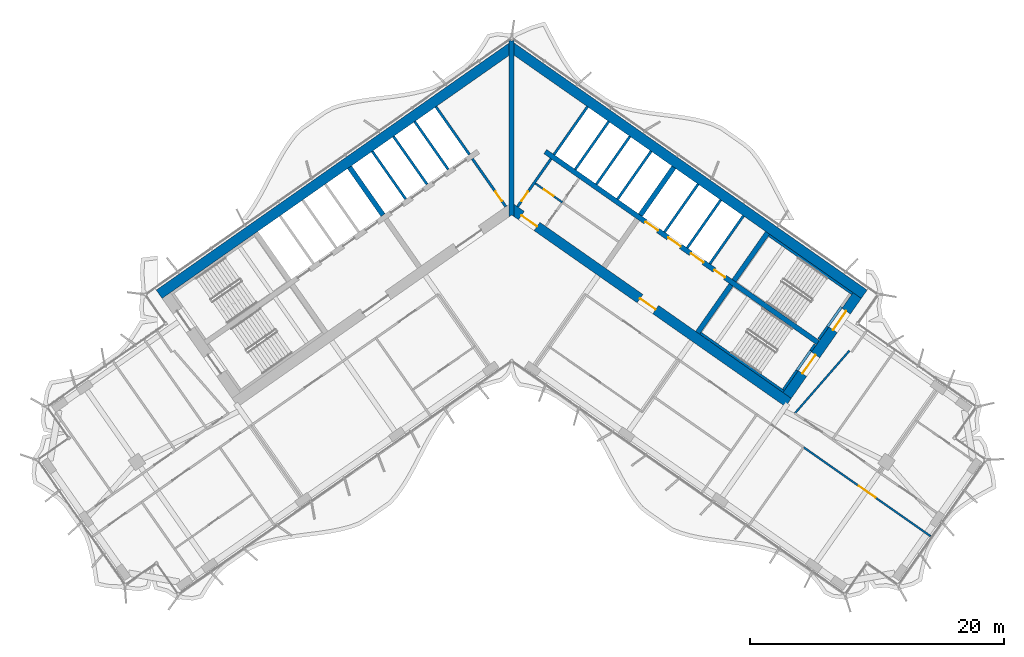
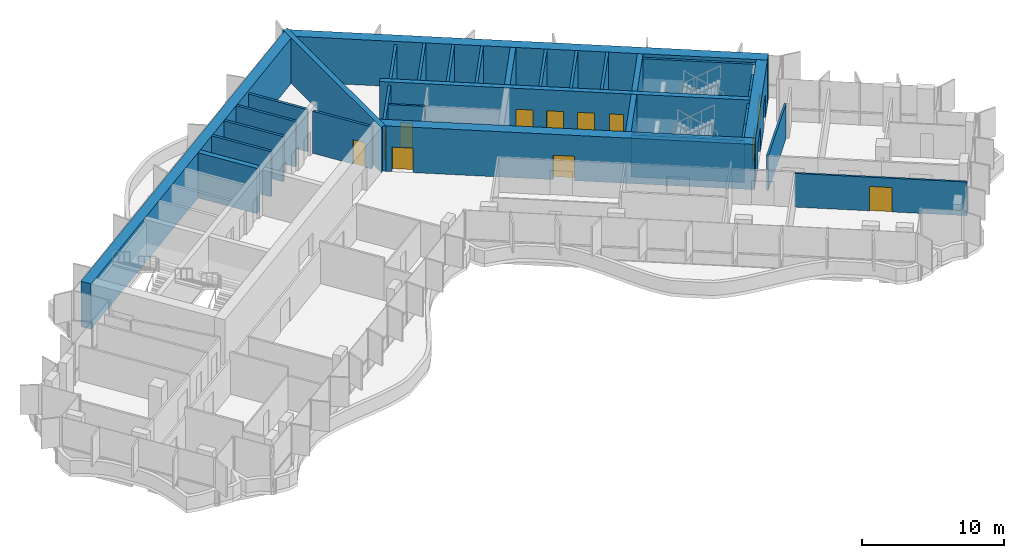
# One storey, part 16 of 23: 33 walls, 12 doors, 12 openings.
"""IFC4 building model written with IfcOpenShell, lengths in metres."""

from ifc_helpers import new_model, si_unit, direction, frame, frame_2d, origin, place, context, subcontext, project, spatial, polyline, rectangle, outline, extrude, material, layer, layer_set, type_object, element, fill, save


model = new_model("IFC4")

# Units and contexts
model_context = context("Model", 3, precision=1e-05, world=origin(), true_north=direction((0.0, 1.0)))
body_context = subcontext(model_context, "Body", "Model", "MODEL_VIEW")
ifc_project = project(units=[si_unit("LENGTHUNIT", "METRE"), si_unit("AREAUNIT", "SQUARE_METRE"), si_unit("VOLUMEUNIT", "CUBIC_METRE"), si_unit("PLANEANGLEUNIT", "RADIAN"), si_unit("MASSUNIT", "GRAM", prefix="KILO")], contexts=[model_context])

# Site, building, storey
site_placement = place(None, origin())
site = spatial("IfcSite", under=ifc_project, at=site_placement, CompositionType="ELEMENT")
building_placement = place(site_placement, origin())
building = spatial("IfcBuilding", under=site, at=building_placement, Name="Tel Ilan Convention Tower", CompositionType="ELEMENT")
storey_placement = place(building_placement, frame((0.0, 0.0, 178.800048828125)))
storey = spatial("IfcBuildingStorey", under=building, at=storey_placement, Name="L41", CompositionType="ELEMENT", Elevation=178.800048828125)

# Wall, opening, door
ifc_material_1 = material(Name="Gypsum Plasterboard on Steel Stud", Category="steel")
ifc_layer_1 = layer(ifc_material_1, 0.14990234375)
ifc_layer_set_1 = layer_set([ifc_layer_1], Name="Core Room Partition Wall 150 mm EI 60")
wall_type_1 = type_object("IfcWallType", Name="Core Room Partition Wall 150 mm EI 60", PredefinedType="PARTITIONING", material=ifc_layer_set_1)
wall_1_placement = place(storey_placement, frame((1.85986328125, 1.261474609375, 0.0), z_axis=(0.0, 0.0, 1.0), x_axis=(0.819103967032, -0.573645091666, 0.0)))
wall_1 = element("IfcWall", 1, at=wall_1_placement, inside=storey, type_object=wall_type_1, Name="L41 core wall wc-h1", PredefinedType="PARTITIONING", context=body_context, shape_type="SweptSolid", body=[
    extrude(rectangle(XDim=2.599853515625, YDim=0.14990234375, at=frame_2d((1.2998046875, 0.0))), origin(), (0.0, 0.0, 1.0), 3.619873046875),
])
opening_1_placement = place(wall_1_placement, frame((0.85009765625, 0.0, 0.0)))
opening_1 = element("IfcOpeningElement", 2, at=opening_1_placement, cuts=wall_1, Name="Opening CD3108", PredefinedType="OPENING", context=body_context, shape_type="SweptSolid", body=[
    extrude(rectangle(XDim=0.89990234375, YDim=2.10009765625, at=frame_2d((0.449951171875, 1.050048828125))), frame((0.0, 0.0849609375, 0.0), z_axis=(0.0, -1.0, 0.0), x_axis=(1.0, 0.0, 0.0)), (0.0, 0.0, 1.0), 0.169921875),
])
ifc_material_2 = material(Name="Laminated Timber Door Leaf", Category="wood")
door_type_1 = type_object("IfcDoorType", Name="Toilet Door 900 x 2100 FD30S", OperationType="NOTDEFINED", PredefinedType="DOOR", material=ifc_material_2)
door_1_placement = place(opening_1_placement, origin())
door_1 = element("IfcDoor", 3, at=door_1_placement, inside=storey, type_object=door_type_1, Name="Accessible WC door", OperationType="SINGLE_SWING_RIGHT", OverallHeight=2.10009765625, OverallWidth=0.89990234375, PredefinedType="DOOR", context=body_context, shape_type="SweptSolid", body=[
    extrude(rectangle(XDim=0.89990234375, YDim=2.10009765625, at=frame_2d((0.449951171875, 1.050048828125))), frame((0.0, 0.02490234375, 0.0), z_axis=(0.0, -1.0, 0.0), x_axis=(1.0, 0.0, 0.0)), (0.0, 0.0, 1.0), 0.050048828125),
])
fill(opening_1, door_1)

ifc_material_3 = material(Name="Concrete C30/37", Category="concrete")
ifc_layer_2 = layer(ifc_material_3, 0.199951171875)
ifc_layer_set_2 = layer_set([ifc_layer_2], Name="Core Service Room Wall 200 mm C30/37")
wall_type_2 = type_object("IfcWallType", Name="Core Service Room Wall 200 mm C30/37", PredefinedType="SOLIDWALL", material=ifc_layer_set_2)
wall_2_placement = place(storey_placement, frame((-0.458740234375, -0.565185546875, 0.0), z_axis=(0.0, 0.0, 1.0), x_axis=(-0.573576324356, 0.819152122709, 0.0)))
wall_2 = element("IfcWall", 4, at=wall_2_placement, inside=storey, type_object=wall_type_2, Name="L41 core wall apex-W", PredefinedType="SOLIDWALL", context=body_context, shape_type="SweptSolid", body=[
    extrude(rectangle(XDim=4.599853515625, YDim=0.199951171875, at=frame_2d((2.2998046875, 0.0))), origin(), (0.0, 0.0, 1.0), 3.619873046875),
])
opening_2_placement = place(wall_2_placement, frame((0.550048828125, 0.0, 0.0)))
opening_2 = element("IfcOpeningElement", 5, at=opening_2_placement, cuts=wall_2, Name="Opening CD3102", PredefinedType="OPENING", context=body_context, shape_type="SweptSolid", body=[
    extrude(rectangle(XDim=0.89990234375, YDim=2.10009765625, at=frame_2d((0.449951171875, 1.050048828125))), frame((0.0, 0.10986328125, 0.0), z_axis=(0.0, -1.0, 0.0), x_axis=(1.0, 0.0, 0.0)), (0.0, 0.0, 1.0), 0.219970703125),
])
ifc_material_4 = material(Name="Galvanised Steel Door Leaf", Category="steel")
door_type_2 = type_object("IfcDoorType", Name="Service Room Door 900 x 2100 FD60", OperationType="NOTDEFINED", PredefinedType="DOOR", material=ifc_material_4)
door_2_placement = place(opening_2_placement, origin())
door_2 = element("IfcDoor", 6, at=door_2_placement, inside=storey, type_object=door_type_2, Name="Electrical Room door", OperationType="SINGLE_SWING_RIGHT", OverallHeight=2.10009765625, OverallWidth=0.89990234375, PredefinedType="DOOR", context=body_context, shape_type="SweptSolid", body=[
    extrude(rectangle(XDim=0.89990234375, YDim=2.10009765625, at=frame_2d((0.449951171875, 1.050048828125))), frame((0.0, 0.02490234375, 0.0), z_axis=(0.0, -1.0, 0.0), x_axis=(1.0, 0.0, 0.0)), (0.0, 0.0, 1.0), 0.050048828125),
])
fill(opening_2, door_2)

# Wall
wall_3_placement = place(storey_placement, frame((-3.32666015625, 3.530517578125, 0.0), z_axis=(0.0, 0.0, 1.0), x_axis=(-0.573576324356, 0.819152122709, 0.0)))
element("IfcWall", 7, at=wall_3_placement, inside=storey, type_object=wall_type_2, Name="L41 core wall apex-W-b", PredefinedType="SOLIDWALL", context=body_context, shape_type="SweptSolid", body=[
    extrude(rectangle(XDim=4.599853515625, YDim=0.199951171875, at=frame_2d((2.2998046875, 0.0))), origin(), (0.0, 0.0, 1.0), 3.619873046875),
])

# Wall, opening, door
wall_4_placement = place(storey_placement, frame((0.458740234375, -0.565185546875, 0.0), z_axis=(0.0, 0.0, 1.0), x_axis=(0.573576324356, 0.819152122709, 0.0)))
wall_4 = element("IfcWall", 8, at=wall_4_placement, inside=storey, type_object=wall_type_2, Name="L41 core wall apex-E", PredefinedType="SOLIDWALL", context=body_context, shape_type="SweptSolid", body=[
    extrude(rectangle(XDim=4.599853515625, YDim=0.199951171875, at=frame_2d((2.2998046875, 0.0))), origin(), (0.0, 0.0, 1.0), 3.619873046875),
])
opening_3_placement = place(wall_4_placement, frame((0.550048828125, 0.0, 0.0)))
opening_3 = element("IfcOpeningElement", 9, at=opening_3_placement, cuts=wall_4, Name="Opening CD3101", PredefinedType="OPENING", context=body_context, shape_type="SweptSolid", body=[
    extrude(rectangle(XDim=0.89990234375, YDim=2.10009765625, at=frame_2d((0.449951171875, 1.050048828125))), frame((0.0, 0.10986328125, 0.0), z_axis=(0.0, -1.0, 0.0), x_axis=(1.0, 0.0, 0.0)), (0.0, 0.0, 1.0), 0.219970703125),
])
door_3_placement = place(opening_3_placement, origin())
door_3 = element("IfcDoor", 10, at=door_3_placement, inside=storey, type_object=door_type_2, Name="Store Room door", OperationType="SINGLE_SWING_RIGHT", OverallHeight=2.10009765625, OverallWidth=0.89990234375, PredefinedType="DOOR", context=body_context, shape_type="SweptSolid", body=[
    extrude(rectangle(XDim=0.89990234375, YDim=2.10009765625, at=frame_2d((0.449951171875, 1.050048828125))), frame((0.0, 0.02490234375, 0.0), z_axis=(0.0, -1.0, 0.0), x_axis=(1.0, 0.0, 0.0)), (0.0, 0.0, 1.0), 0.050048828125),
])
fill(opening_3, door_3)

# Walls
wall_5_placement = place(storey_placement, frame((3.32666015625, 3.530517578125, 0.0), z_axis=(0.0, 0.0, 1.0), x_axis=(0.573576324356, 0.819152122709, 0.0)))
element("IfcWall", 11, at=wall_5_placement, inside=storey, type_object=wall_type_2, Name="L41 core wall apex-E-b", PredefinedType="SOLIDWALL", context=body_context, shape_type="SweptSolid", body=[
    extrude(rectangle(XDim=4.599853515625, YDim=0.199951171875, at=frame_2d((2.2998046875, 0.0))), origin(), (0.0, 0.0, 1.0), 3.619873046875),
])
ifc_material_5 = material(Name="Concrete C50/60", Category="concrete")
ifc_layer_3 = layer(ifc_material_5, 0.39990234375)
ifc_layer_set_3 = layer_set([ifc_layer_3], Name="Core Shear Wall 400 mm C50/60")
wall_type_3 = type_object("IfcWallType", Name="Core Shear Wall 400 mm C50/60", PredefinedType="SHEAR", material=ifc_layer_set_3)
wall_6_placement = place(storey_placement, frame((-10.12548828125, -1.230224609375, 0.0), z_axis=(0.0, 0.0, 1.0), x_axis=(-0.573576324356, 0.819152122709, 0.0)))
element("IfcWall", 12, at=wall_6_placement, inside=storey, type_object=wall_type_3, Name="L41 core wall W-cross1-2", PredefinedType="SHEAR", context=body_context, shape_type="SweptSolid", body=[
    extrude(outline(polyline([(4.60009765625, -0.199951171875), (4.599853515625, 0.199951171875), (0.0, 0.2001953125), (0.0, -0.199951171875), (4.60009765625, -0.199951171875)])), origin(), (0.0, 0.0, 1.0), 3.89990234375),
])
wall_7_placement = place(storey_placement, frame((10.12548828125, -1.230224609375, 0.0), z_axis=(0.0, 0.0, 1.0), x_axis=(0.573576324356, 0.819152122709, 0.0)))
element("IfcWall", 13, at=wall_7_placement, inside=storey, type_object=wall_type_3, Name="L41 core wall E-cross1-2", PredefinedType="SHEAR", context=body_context, shape_type="SweptSolid", body=[
    extrude(outline(polyline([(4.599853515625, -0.199951171875), (4.60009765625, 0.199951171875), (0.0, 0.199951171875), (0.0, -0.2001953125), (4.599853515625, -0.199951171875)])), origin(), (0.0, 0.0, 1.0), 3.89990234375),
])
wall_8_placement = place(storey_placement, frame((14.6298828125, -10.48828125, 0.0), z_axis=(0.0, 0.0, 1.0), x_axis=(0.573611936273, 0.819127185829, 0.0)))
element("IfcWall", 14, at=wall_8_placement, inside=storey, type_object=wall_type_3, Name="L41 core wall E-cross2-1", PredefinedType="SHEAR", context=body_context, shape_type="SweptSolid", body=[
    extrude(outline(polyline([(0.000244140625, 0.199951171875), (0.000244140625, -0.2001953125), (4.60009765625, -0.199951171875), (4.60009765625, 0.2001953125), (0.000244140625, 0.199951171875)])), origin(), (0.0, 0.0, 1.0), 3.89990234375),
])
wall_9_placement = place(storey_placement, frame((17.497802734375, -6.392333984375, 0.0), z_axis=(0.0, 0.0, 1.0), x_axis=(0.573611936273, 0.819127185829, 0.0)))
element("IfcWall", 15, at=wall_9_placement, inside=storey, type_object=wall_type_3, Name="L41 core wall E-cross2-2", PredefinedType="SHEAR", context=body_context, shape_type="SweptSolid", body=[
    extrude(outline(polyline([(4.599853515625, -0.199951171875), (4.599853515625, 0.2001953125), (0.0, 0.199951171875), (0.0, -0.2001953125), (4.599853515625, -0.199951171875)])), origin(), (0.0, 0.0, 1.0), 3.89990234375),
])

# Wall, openings, doors
wall_10_placement = place(storey_placement, frame((2.638427734375, 3.76806640625, 0.0), z_axis=(0.0, 0.0, 1.0), x_axis=(0.81915267502, -0.573575535572, 0.0)))
wall_10 = element("IfcWall", 16, at=wall_10_placement, inside=storey, type_object=wall_type_3, Name="L41 core wall E-spine", PredefinedType="SHEAR", context=body_context, shape_type="SweptSolid", body=[
    extrude(outline(polyline([(0.0, 0.199951171875), (0.0, -0.199951171875), (26.199951171875, -0.199951171875), (26.199951171875, 0.199951171875), (0.0, 0.199951171875)])), origin(), (0.0, 0.0, 1.0), 3.89990234375),
])
opening_4_placement = place(wall_10_placement, frame((9.637451171875, 0.0, 0.0)))
opening_4 = element("IfcOpeningElement", 17, at=opening_4_placement, cuts=wall_10, Name="Opening LD3101", PredefinedType="OPENING", context=body_context, shape_type="SweptSolid", body=[
    extrude(rectangle(XDim=1.199951171875, YDim=2.10009765625, at=frame_2d((0.60009765625, 1.050048828125))), frame((0.0, 0.2099609375, 0.0), z_axis=(0.0, -1.0, 0.0), x_axis=(1.0, 0.0, 0.0)), (0.0, 0.0, 1.0), 0.419921875),
])
opening_5_placement = place(wall_10_placement, frame((11.8125, 0.0, 0.0)))
opening_5 = element("IfcOpeningElement", 18, at=opening_5_placement, cuts=wall_10, Name="Opening LD3102", PredefinedType="OPENING", context=body_context, shape_type="SweptSolid", body=[
    extrude(rectangle(XDim=1.199951171875, YDim=2.10009765625, at=frame_2d((0.60009765625, 1.050048828125))), frame((0.0, 0.2099609375, 0.0), z_axis=(0.0, -1.0, 0.0), x_axis=(1.0, 0.0, 0.0)), (0.0, 0.0, 1.0), 0.419921875),
])
opening_6_placement = place(wall_10_placement, frame((13.987548828125, 0.0, 0.0)))
opening_6 = element("IfcOpeningElement", 19, at=opening_6_placement, cuts=wall_10, Name="Opening LD3103", PredefinedType="OPENING", context=body_context, shape_type="SweptSolid", body=[
    extrude(rectangle(XDim=1.199951171875, YDim=2.10009765625, at=frame_2d((0.60009765625, 1.050048828125))), frame((0.0, 0.2099609375, 0.0), z_axis=(0.0, -1.0, 0.0), x_axis=(1.0, 0.0, 0.0)), (0.0, 0.0, 1.0), 0.419921875),
])
opening_7_placement = place(wall_10_placement, frame((16.262451171875, 0.0, 0.0)))
opening_7 = element("IfcOpeningElement", 20, at=opening_7_placement, cuts=wall_10, Name="Opening CD3107", PredefinedType="OPENING", context=body_context, shape_type="SweptSolid", body=[
    extrude(rectangle(XDim=1.0, YDim=2.10009765625, at=frame_2d((0.5, 1.050048828125))), frame((0.0, 0.2099609375, 0.0), z_axis=(0.0, -1.0, 0.0), x_axis=(1.0, 0.0, 0.0)), (0.0, 0.0, 1.0), 0.419921875),
])
ifc_material_6 = material(Name="Stainless Steel Sliding Door Leaf", Category="steel")
door_type_3 = type_object("IfcDoorType", Name="Lift Landing Door 1200 x 2100 FD120", OperationType="NOTDEFINED", PredefinedType="DOOR", material=ifc_material_6)
door_4_placement = place(opening_4_placement, origin())
door_4 = element("IfcDoor", 21, at=door_4_placement, inside=storey, type_object=door_type_3, Name="Lift FL1 landing door", OperationType="SLIDING_TO_LEFT", OverallHeight=2.10009765625, OverallWidth=1.199951171875, PredefinedType="DOOR", context=body_context, shape_type="SweptSolid", body=[
    extrude(rectangle(XDim=1.199951171875, YDim=2.10009765625, at=frame_2d((0.60009765625, 1.050048828125))), frame((0.0, 0.02490234375, 0.0), z_axis=(0.0, -1.0, 0.0), x_axis=(1.0, 0.0, 0.0)), (0.0, 0.0, 1.0), 0.050048828125),
])
fill(opening_4, door_4)
door_5_placement = place(opening_5_placement, origin())
door_5 = element("IfcDoor", 22, at=door_5_placement, inside=storey, type_object=door_type_3, Name="Lift FL2 landing door", OperationType="SLIDING_TO_RIGHT", OverallHeight=2.10009765625, OverallWidth=1.199951171875, PredefinedType="DOOR", context=body_context, shape_type="SweptSolid", body=[
    extrude(rectangle(XDim=1.199951171875, YDim=2.10009765625, at=frame_2d((0.60009765625, 1.050048828125))), frame((0.0, 0.02490234375, 0.0), z_axis=(0.0, -1.0, 0.0), x_axis=(1.0, 0.0, 0.0)), (0.0, 0.0, 1.0), 0.050048828125),
])
fill(opening_5, door_5)
door_6_placement = place(opening_6_placement, origin())
door_6 = element("IfcDoor", 23, at=door_6_placement, inside=storey, type_object=door_type_3, Name="Lift FL3 landing door", OperationType="SLIDING_TO_LEFT", OverallHeight=2.10009765625, OverallWidth=1.199951171875, PredefinedType="DOOR", context=body_context, shape_type="SweptSolid", body=[
    extrude(rectangle(XDim=1.199951171875, YDim=2.10009765625, at=frame_2d((0.60009765625, 1.050048828125))), frame((0.0, 0.02490234375, 0.0), z_axis=(0.0, -1.0, 0.0), x_axis=(1.0, 0.0, 0.0)), (0.0, 0.0, 1.0), 0.050048828125),
])
fill(opening_6, door_6)
ifc_material_7 = material(Name="Galvanised Steel Door Leaf", Category="steel")
door_type_4 = type_object("IfcDoorType", Name="Service Room Door 1000 x 2100 FD60", OperationType="NOTDEFINED", PredefinedType="DOOR", material=ifc_material_7)
door_7_placement = place(opening_7_placement, origin())
door_7 = element("IfcDoor", 24, at=door_7_placement, inside=storey, type_object=door_type_4, Name="Plant Room door", OperationType="SINGLE_SWING_RIGHT", OverallHeight=2.10009765625, OverallWidth=1.0, PredefinedType="DOOR", context=body_context, shape_type="SweptSolid", body=[
    extrude(rectangle(XDim=1.0, YDim=2.10009765625, at=frame_2d((0.5, 1.050048828125))), frame((0.0, 0.02490234375, 0.0), z_axis=(0.0, -1.0, 0.0), x_axis=(1.0, 0.0, 0.0)), (0.0, 0.0, 1.0), 0.050048828125),
])
fill(opening_7, door_7)

# Walls
wall_11_placement = place(storey_placement, frame((0.0, -1.36083984375, 0.0), z_axis=(0.0, 0.0, 1.0), x_axis=(0.0, 1.0, 0.0)))
element("IfcWall", 25, at=wall_11_placement, inside=storey, type_object=wall_type_3, Name="L41 core wall K-central", PredefinedType="SHEAR", context=body_context, shape_type="SweptSolid", body=[
    extrude(outline(polyline([(0.0, -0.199951171875), (0.14013671875, -0.199951171875), (1.0751953125, -0.199951171875), (12.696044921875, -0.199951171875), (13.812744140625, -0.199951171875), (13.893310546875, -0.199951171875), (13.933349609375, -0.172119140625), (13.812744140625, 0.0), (13.933349609375, 0.172119140625), (13.893310546875, 0.199951171875), (13.812744140625, 0.199951171875), (12.696044921875, 0.199951171875), (1.0751953125, 0.199951171875), (0.14013671875, 0.199951171875), (0.0, 0.199951171875), (0.14013671875, 0.0), (0.0, -0.199951171875)])), origin(), (0.0, 0.0, 1.0), 3.89990234375),
])
ifc_material_8 = material(Name="Concrete C50/60", Category="concrete")
ifc_layer_4 = layer(ifc_material_8, 0.800048828125)
ifc_layer_set_4 = layer_set([ifc_layer_4], Name="Core Shear Wall 800 mm C50/60")
wall_type_4 = type_object("IfcWallType", Name="Core Shear Wall 800 mm C50/60", PredefinedType="SHEAR", material=ifc_layer_set_4)
wall_12_placement = place(storey_placement, frame((0.029296875, 11.984130859375, 0.0), z_axis=(0.0, 0.0, 1.0), x_axis=(-0.819151382952, -0.573577380837, 0.0)))
element("IfcWall", 26, at=wall_12_placement, inside=storey, type_object=wall_type_4, Name="L41 core wall W-back", PredefinedType="SHEAR", context=body_context, shape_type="SweptSolid", body=[
    extrude(outline(polyline([(33.897705078125, 0.39990234375), (0.56005859375, 0.400146484375), (-0.000244140625, -0.39990234375), (33.897705078125, -0.400146484375), (33.897705078125, 0.39990234375)])), origin(), (0.0, 0.0, 1.0), 3.89990234375),
])
wall_13_placement = place(storey_placement, frame((-0.029296875, 11.984130859375, 0.0), z_axis=(0.0, 0.0, 1.0), x_axis=(0.819151382952, -0.573577380837, 0.0)))
element("IfcWall", 27, at=wall_13_placement, inside=storey, type_object=wall_type_4, Name="L41 core wall E-back", PredefinedType="SHEAR", context=body_context, shape_type="SweptSolid", body=[
    extrude(outline(polyline([(33.897705078125, 0.400146484375), (-0.000244140625, 0.39990234375), (0.56005859375, -0.400146484375), (33.897705078125, -0.39990234375), (33.897705078125, 0.400146484375)])), origin(), (0.0, 0.0, 1.0), 3.89990234375),
])

# Wall, openings, doors
wall_14_placement = place(storey_placement, frame((-0.029296875, -0.7119140625, 0.0), z_axis=(0.0, 0.0, 1.0), x_axis=(0.819151758019, -0.573576845187, 0.0)))
wall_14 = element("IfcWall", 28, at=wall_14_placement, inside=storey, type_object=wall_type_4, Name="L41 core wall E-front", PredefinedType="SHEAR", context=body_context, shape_type="SweptSolid", body=[
    extrude(outline(polyline([(26.61572265625, 0.39990234375), (-0.000244140625, 0.39990234375), (0.56005859375, -0.39990234375), (26.61572265625, -0.39990234375), (26.61572265625, 0.39990234375)])), origin(), (0.0, 0.0, 1.0), 3.89990234375),
])
opening_8_placement = place(wall_14_placement, frame((0.9658203125, 0.0, 0.0)))
opening_8 = element("IfcOpeningElement", 29, at=opening_8_placement, cuts=wall_14, Name="Opening CD3103", PredefinedType="OPENING", context=body_context, shape_type="SweptSolid", body=[
    extrude(rectangle(XDim=1.5, YDim=2.10009765625, at=frame_2d((0.75, 1.050048828125))), frame((0.0, 0.409912109375, 0.0), z_axis=(0.0, -1.0, 0.0), x_axis=(1.0, 0.0, 0.0)), (0.0, 0.0, 1.0), 0.820068359375),
])
opening_9_placement = place(wall_14_placement, frame((12.36572265625, 0.0, 0.0)))
opening_9 = element("IfcOpeningElement", 30, at=opening_9_placement, cuts=wall_14, Name="Opening CD3104", PredefinedType="OPENING", context=body_context, shape_type="SweptSolid", body=[
    extrude(rectangle(XDim=1.5, YDim=2.10009765625, at=frame_2d((0.75, 1.050048828125))), frame((0.0, 0.409912109375, 0.0), z_axis=(0.0, -1.0, 0.0), x_axis=(1.0, 0.0, 0.0)), (0.0, 0.0, 1.0), 0.820068359375),
])
ifc_material_9 = material(Name="Glazed Aluminium Door Leaf", Category="aluminium")
door_type_5 = type_object("IfcDoorType", Name="Lobby Opening Door 1500 x 2100 FD60S", OperationType="NOTDEFINED", PredefinedType="DOOR", material=ifc_material_9)
door_8_placement = place(opening_9_placement, origin())
door_8 = element("IfcDoor", 31, at=door_8_placement, inside=storey, type_object=door_type_5, Name="Firefighting Lobby door", OperationType="DOUBLE_DOOR_SINGLE_SWING", OverallHeight=2.10009765625, OverallWidth=1.5, PredefinedType="DOOR", context=body_context, shape_type="SweptSolid", body=[
    extrude(rectangle(XDim=1.5, YDim=2.10009765625, at=frame_2d((0.75, 1.050048828125))), frame((0.0, 0.02490234375, 0.0), z_axis=(0.0, -1.0, 0.0), x_axis=(1.0, 0.0, 0.0)), (0.0, 0.0, 1.0), 0.050048828125),
])
fill(opening_9, door_8)
ifc_material_10 = material(Name="Laminated Timber Door Leaf", Category="wood")
door_type_6 = type_object("IfcDoorType", Name="Toilet Door 1500 x 2100 FD30S", OperationType="NOTDEFINED", PredefinedType="DOOR", material=ifc_material_10)
door_9_placement = place(opening_8_placement, origin())
door_9 = element("IfcDoor", 32, at=door_9_placement, inside=storey, type_object=door_type_6, Name="WC Lobby door", OperationType="SINGLE_SWING_RIGHT", OverallHeight=2.10009765625, OverallWidth=1.5, PredefinedType="DOOR", context=body_context, shape_type="SweptSolid", body=[
    extrude(rectangle(XDim=1.5, YDim=2.10009765625, at=frame_2d((0.75, 1.050048828125))), frame((0.0, 0.02490234375, 0.0), z_axis=(0.0, -1.0, 0.0), x_axis=(1.0, 0.0, 0.0)), (0.0, 0.0, 1.0), 0.050048828125),
])
fill(opening_8, door_9)

wall_15_placement = place(storey_placement, frame((21.6748046875, -15.4208984375, 0.0), z_axis=(0.0, 0.0, 1.0), x_axis=(0.573581815061, 0.819148278049, 0.0)))
wall_15 = element("IfcWall", 33, at=wall_15_placement, inside=storey, type_object=wall_type_4, Name="L41 core wall E-end", PredefinedType="SHEAR", context=body_context, shape_type="SweptSolid", body=[
    extrude(outline(polyline([(9.599853515625, 0.400146484375), (0.0, 0.39990234375), (0.0, -0.39990234375), (9.599853515625, -0.39990234375), (9.599853515625, 0.400146484375)])), origin(), (0.0, 0.0, 1.0), 3.89990234375),
])
opening_10_placement = place(wall_15_placement, frame((6.300048828125, 0.0, 0.0)))
opening_10 = element("IfcOpeningElement", 34, at=opening_10_placement, cuts=wall_15, Name="Opening SD3103", PredefinedType="OPENING", context=body_context, shape_type="SweptSolid", body=[
    extrude(rectangle(XDim=1.800048828125, YDim=2.10009765625, at=frame_2d((0.89990234375, 1.050048828125))), frame((0.0, 0.409912109375, 0.0), z_axis=(0.0, -1.0, 0.0), x_axis=(1.0, 0.0, 0.0)), (0.0, 0.0, 1.0), 0.820068359375),
])
opening_11_placement = place(wall_15_placement, frame((2.10009765625, 0.0, 0.0)))
opening_11 = element("IfcOpeningElement", 35, at=opening_11_placement, cuts=wall_15, Name="Opening SD3104", PredefinedType="OPENING", context=body_context, shape_type="SweptSolid", body=[
    extrude(rectangle(XDim=1.800048828125, YDim=2.10009765625, at=frame_2d((0.89990234375, 1.050048828125))), frame((0.0, 0.409912109375, 0.0), z_axis=(0.0, -1.0, 0.0), x_axis=(1.0, 0.0, 0.0)), (0.0, 0.0, 1.0), 0.820068359375),
])
ifc_material_11 = material(Name="Galvanised Steel Door Leaf", Category="steel")
door_type_7 = type_object("IfcDoorType", Name="Stair Fire Door 1800 x 2100 FD60S", OperationType="NOTDEFINED", PredefinedType="DOOR", material=ifc_material_11)
door_10_placement = place(opening_10_placement, origin())
door_10 = element("IfcDoor", 36, at=door_10_placement, inside=storey, type_object=door_type_7, Name="Stair S3 door", OperationType="DOUBLE_DOOR_SINGLE_SWING", OverallHeight=2.10009765625, OverallWidth=1.800048828125, PredefinedType="DOOR", context=body_context, shape_type="SweptSolid", body=[
    extrude(rectangle(XDim=1.800048828125, YDim=2.10009765625, at=frame_2d((0.89990234375, 1.050048828125))), frame((0.0, 0.02490234375, 0.0), z_axis=(0.0, -1.0, 0.0), x_axis=(1.0, 0.0, 0.0)), (0.0, 0.0, 1.0), 0.050048828125),
])
fill(opening_10, door_10)
door_11_placement = place(opening_11_placement, origin())
door_11 = element("IfcDoor", 37, at=door_11_placement, inside=storey, type_object=door_type_7, Name="Stair S4 door", OperationType="DOUBLE_DOOR_SINGLE_SWING", OverallHeight=2.10009765625, OverallWidth=1.800048828125, PredefinedType="DOOR", context=body_context, shape_type="SweptSolid", body=[
    extrude(rectangle(XDim=1.800048828125, YDim=2.10009765625, at=frame_2d((0.89990234375, 1.050048828125))), frame((0.0, 0.02490234375, 0.0), z_axis=(0.0, -1.0, 0.0), x_axis=(1.0, 0.0, 0.0)), (0.0, 0.0, 1.0), 0.050048828125),
])
fill(opening_11, door_11)

# Wall, opening, door
ifc_material_12 = material(Name="Plasterboard on Steel Studs", Category="steel")
ifc_layer_5 = layer(ifc_material_12, 0.14990234375)
ifc_layer_set_5 = layer_set([ifc_layer_5], Name="Fire-rated Partition 150 EI 60")
wall_type_5 = type_object("IfcWallType", Name="Fire-rated Partition 150 EI 60", PredefinedType="PARTITIONING", material=ifc_layer_set_5)
wall_16_placement = place(storey_placement, frame((32.962158203125, -26.49853515625, 0.0), z_axis=(0.0, 0.0, 1.0), x_axis=(-0.819153894559, 0.573573793882, 0.0)))
wall_16 = element("IfcWall", 38, at=wall_16_placement, inside=storey, type_object=wall_type_5, Name="Partition 007", PredefinedType="PARTITIONING", context=body_context, shape_type="SweptSolid", body=[
    extrude(rectangle(XDim=12.2021484375, YDim=0.14990234375, at=frame_2d((6.10107421875, 0.0))), origin(), (0.0, 0.0, 1.0), 2.89990234375),
])
opening_12_placement = place(wall_16_placement, frame((5.301025390625, 0.0, 0.0)))
opening_12 = element("IfcOpeningElement", 39, at=opening_12_placement, cuts=wall_16, Name="Opening L39-016", PredefinedType="OPENING", context=body_context, shape_type="SweptSolid", body=[
    extrude(rectangle(XDim=1.60009765625, YDim=2.10009765625, at=frame_2d((0.800048828125, 1.050048828125))), frame((0.0, 0.0849609375, 0.0), z_axis=(0.0, -1.0, 0.0), x_axis=(1.0, 0.0, 0.0)), (0.0, 0.0, 1.0), 0.169921875),
])
ifc_material_13 = material(Name="Timber Door Leaf in Steel Frame", Category="steel")
door_type_8 = type_object("IfcDoorType", Name="Tenant Suite Entrance Fire Door 1600x2100", OperationType="NOTDEFINED", PredefinedType="DOOR", material=ifc_material_13)
door_12_placement = place(opening_12_placement, origin())
door_12 = element("IfcDoor", 40, at=door_12_placement, inside=storey, type_object=door_type_8, Name="Door L39-016", OperationType="DOUBLE_DOOR_SINGLE_SWING", OverallHeight=2.10009765625, OverallWidth=1.60009765625, PredefinedType="DOOR", context=body_context, shape_type="SweptSolid", body=[
    extrude(rectangle(XDim=1.60009765625, YDim=2.10009765625, at=frame_2d((0.800048828125, 1.050048828125))), frame((0.0, 0.02490234375, 0.0), z_axis=(0.0, -1.0, 0.0), x_axis=(1.0, 0.0, 0.0)), (0.0, 0.0, 1.0), 0.050048828125),
])
fill(opening_12, door_12)

# Walls
wall_17_placement = place(storey_placement, frame((22.284912109375, -16.82470703125, 0.0), z_axis=(0.0, 0.0, 1.0), x_axis=(0.656781429942, 0.754080999153, 0.0)))
element("IfcWall", 41, at=wall_17_placement, inside=storey, type_object=wall_type_5, Name="Partition 018", PredefinedType="PARTITIONING", context=body_context, shape_type="SweptSolid", body=[
    extrude(rectangle(XDim=6.536376953125, YDim=0.14990234375, at=frame_2d((3.26806640625, 0.0))), origin(), (0.0, 0.0, 1.0), 3.0),
])
ifc_material_14 = material(Name="Concrete C30/37", Category="concrete")
ifc_layer_6 = layer(ifc_material_14, 0.199951171875)
ifc_layer_set_6 = layer_set([ifc_layer_6], Name="Lift Shaft Wall 200 mm C30/37")
wall_type_6 = type_object("IfcWallType", Name="Lift Shaft Wall 200 mm C30/37", PredefinedType="SOLIDWALL", material=ifc_layer_set_6)
for number, where, z_axis, x_axis, name in (
    (42, (-4.99560546875, 2.36181640625, 0.0), (0.0, 0.0, 1.0), (-0.573576324356, 0.819152122709, 0.0), "L41 core wall bank-W1-p0"),
    (43, (-6.66455078125, 1.193115234375, 0.0), (0.0, 0.0, 1.0), (-0.573576324356, 0.819152122709, 0.0), "L41 core wall bank-W1-p1"),
):
    element("IfcWall", number, at=place(storey_placement, frame(where, z_axis=z_axis, x_axis=x_axis)), inside=storey, type_object=wall_type_6, Name=name, PredefinedType="SOLIDWALL", context=body_context, shape_type="SweptSolid", body=[
        extrude(rectangle(XDim=4.599853515625, YDim=0.199951171875, at=frame_2d((2.2998046875, 0.0))), origin(), (0.0, 0.0, 1.0), 3.89990234375),
    ])
wall_18_placement = place(storey_placement, frame((-8.33349609375, 0.0244140625, 0.0), z_axis=(0.0, 0.0, 1.0), x_axis=(-0.573611936273, 0.819127185829, 0.0)))
element("IfcWall", 44, at=wall_18_placement, inside=storey, type_object=wall_type_6, Name="L41 core wall bank-W1-p2", PredefinedType="SOLIDWALL", context=body_context, shape_type="SweptSolid", body=[
    extrude(rectangle(XDim=4.60009765625, YDim=0.199951171875, at=frame_2d((2.300048828125, 0.0))), origin(), (0.0, 0.0, 1.0), 3.89990234375),
])
for number, where, z_axis, x_axis, name in (
    (45, (4.99560546875, 2.36181640625, 0.0), (0.0, 0.0, 1.0), (0.573576324356, 0.819152122709, 0.0), "L41 core wall bank-E1-p0"),
    (46, (6.66455078125, 1.193115234375, 0.0), (0.0, 0.0, 1.0), (0.573576324356, 0.819152122709, 0.0), "L41 core wall bank-E1-p1"),
):
    element("IfcWall", number, at=place(storey_placement, frame(where, z_axis=z_axis, x_axis=x_axis)), inside=storey, type_object=wall_type_6, Name=name, PredefinedType="SOLIDWALL", context=body_context, shape_type="SweptSolid", body=[
        extrude(rectangle(XDim=4.599853515625, YDim=0.199951171875, at=frame_2d((2.2998046875, 0.0))), origin(), (0.0, 0.0, 1.0), 3.89990234375),
    ])
wall_19_placement = place(storey_placement, frame((8.33349609375, 0.0244140625, 0.0), z_axis=(0.0, 0.0, 1.0), x_axis=(0.573611936273, 0.819127185829, 0.0)))
element("IfcWall", 47, at=wall_19_placement, inside=storey, type_object=wall_type_6, Name="L41 core wall bank-E1-p2", PredefinedType="SOLIDWALL", context=body_context, shape_type="SweptSolid", body=[
    extrude(rectangle(XDim=4.60009765625, YDim=0.199951171875, at=frame_2d((2.300048828125, 0.0))), origin(), (0.0, 0.0, 1.0), 3.89990234375),
])
for number, where, z_axis, x_axis, name in (
    (48, (12.030029296875, -2.563720703125, 0.0), (0.0, 0.0, 1.0), (0.573576324356, 0.819152122709, 0.0), "L41 core wall bank-E2-p0"),
    (49, (13.811767578125, -3.811279296875, 0.0), (0.0, 0.0, 1.0), (0.573576324356, 0.819152122709, 0.0), "L41 core wall bank-E2-p1"),
    (50, (15.593505859375, -5.058837890625, 0.0), (0.0, 0.0, 1.0), (0.573540709186, 0.819177059558, 0.0), "L41 core wall bank-E2-p2"),
):
    element("IfcWall", number, at=place(storey_placement, frame(where, z_axis=z_axis, x_axis=x_axis)), inside=storey, type_object=wall_type_6, Name=name, PredefinedType="SOLIDWALL", context=body_context, shape_type="SweptSolid", body=[
        extrude(rectangle(XDim=4.599853515625, YDim=0.199951171875, at=frame_2d((2.2998046875, 0.0))), origin(), (0.0, 0.0, 1.0), 3.89990234375),
    ])
ifc_material_15 = material(Name="Concrete C30/37", Category="concrete")
ifc_layer_7 = layer(ifc_material_15, 0.199951171875)
ifc_layer_set_7 = layer_set([ifc_layer_7], Name="Stair and Shaft Lining Wall 200 mm C30/37")
wall_type_7 = type_object("IfcWallType", Name="Stair and Shaft Lining Wall 200 mm C30/37", PredefinedType="SOLIDWALL", material=ifc_layer_set_7)
wall_20_placement = place(storey_placement, frame((20.242919921875, -2.821044921875, 0.0), z_axis=(0.0, 0.0, 1.0), x_axis=(0.819141584393, -0.57359137434, 0.0)))
element("IfcWall", 51, at=wall_20_placement, inside=storey, type_object=wall_type_7, Name="L41 core wall lining-S3-t1", PredefinedType="SOLIDWALL", context=body_context, shape_type="SweptSolid", body=[
    extrude(rectangle(XDim=7.999755859375, YDim=0.199951171875, at=frame_2d((4.0, 0.0))), origin(), (0.0, 0.0, 1.0), 3.619873046875),
])
wall_21_placement = place(storey_placement, frame((24.16162109375, -10.99755859375, 0.0), z_axis=(0.0, 0.0, 1.0), x_axis=(0.573612502218, 0.819126789514, 0.0)))
element("IfcWall", 52, at=wall_21_placement, inside=storey, type_object=wall_type_7, Name="L41 core wall lining-S3-u1-0", PredefinedType="SOLIDWALL", context=body_context, shape_type="SweptSolid", body=[
    extrude(rectangle(XDim=1.2001953125, YDim=0.199951171875, at=frame_2d((0.60009765625, 0.0))), origin(), (0.0, 0.0, 1.0), 3.619873046875),
])
wall_22_placement = place(storey_placement, frame((24.85009765625, -10.014404296875, 2.14990234375), z_axis=(0.0, 0.0, 1.0), x_axis=(0.573505465124, 0.819201734296, 0.0)))
element("IfcWall", 53, at=wall_22_placement, inside=storey, type_object=wall_type_7, Name="L41 core wall lining-S3-u1-lintel", PredefinedType="SOLIDWALL", context=body_context, shape_type="SweptSolid", body=[
    extrude(rectangle(XDim=1.89990234375, YDim=0.199951171875, at=frame_2d((0.949951171875, 0.0))), origin(), (0.0, 0.0, 1.0), 1.469970703125),
])
wall_23_placement = place(storey_placement, frame((14.851318359375, -10.52099609375, 0.0), z_axis=(0.0, 0.0, 1.0), x_axis=(0.819141584393, -0.57359137434, 0.0)))
element("IfcWall", 54, at=wall_23_placement, inside=storey, type_object=wall_type_7, Name="L41 core wall lining-S4-t0", PredefinedType="SOLIDWALL", context=body_context, shape_type="SweptSolid", body=[
    extrude(rectangle(XDim=7.999755859375, YDim=0.199951171875, at=frame_2d((4.0, 0.0))), origin(), (0.0, 0.0, 1.0), 3.619873046875),
])
wall_24_placement = place(storey_placement, frame((21.3798828125, -14.97021484375, 0.0), z_axis=(0.0, 0.0, 1.0), x_axis=(0.573559770908, 0.819163713305, 0.0)))
element("IfcWall", 55, at=wall_24_placement, inside=storey, type_object=wall_type_7, Name="L41 core wall lining-S4-u1-0", PredefinedType="SOLIDWALL", context=body_context, shape_type="SweptSolid", body=[
    extrude(rectangle(XDim=1.849853515625, YDim=0.199951171875, at=frame_2d((0.9248046875, 0.0))), origin(), (0.0, 0.0, 1.0), 3.619873046875),
])
wall_25_placement = place(storey_placement, frame((23.53076171875, -11.8984375, 0.0), z_axis=(0.0, 0.0, 1.0), x_axis=(0.573708088123, 0.819059844958, 0.0)))
element("IfcWall", 56, at=wall_25_placement, inside=storey, type_object=wall_type_7, Name="L41 core wall lining-S4-u1-1", PredefinedType="SOLIDWALL", context=body_context, shape_type="SweptSolid", body=[
    extrude(rectangle(XDim=0.60009765625, YDim=0.199951171875, at=frame_2d((0.300048828125, 0.0))), origin(), (0.0, 0.0, 1.0), 3.619873046875),
])
wall_26_placement = place(storey_placement, frame((22.44091796875, -13.454833984375, 2.14990234375), z_axis=(0.0, 0.0, 1.0), x_axis=(0.573591692345, 0.819141361715, 0.0)))
element("IfcWall", 57, at=wall_26_placement, inside=storey, type_object=wall_type_7, Name="L41 core wall lining-S4-u1-lintel", PredefinedType="SOLIDWALL", context=body_context, shape_type="SweptSolid", body=[
    extrude(rectangle(XDim=1.900146484375, YDim=0.199951171875, at=frame_2d((0.9501953125, 0.0))), origin(), (0.0, 0.0, 1.0), 1.469970703125),
])

save(model, "model.ifc")
